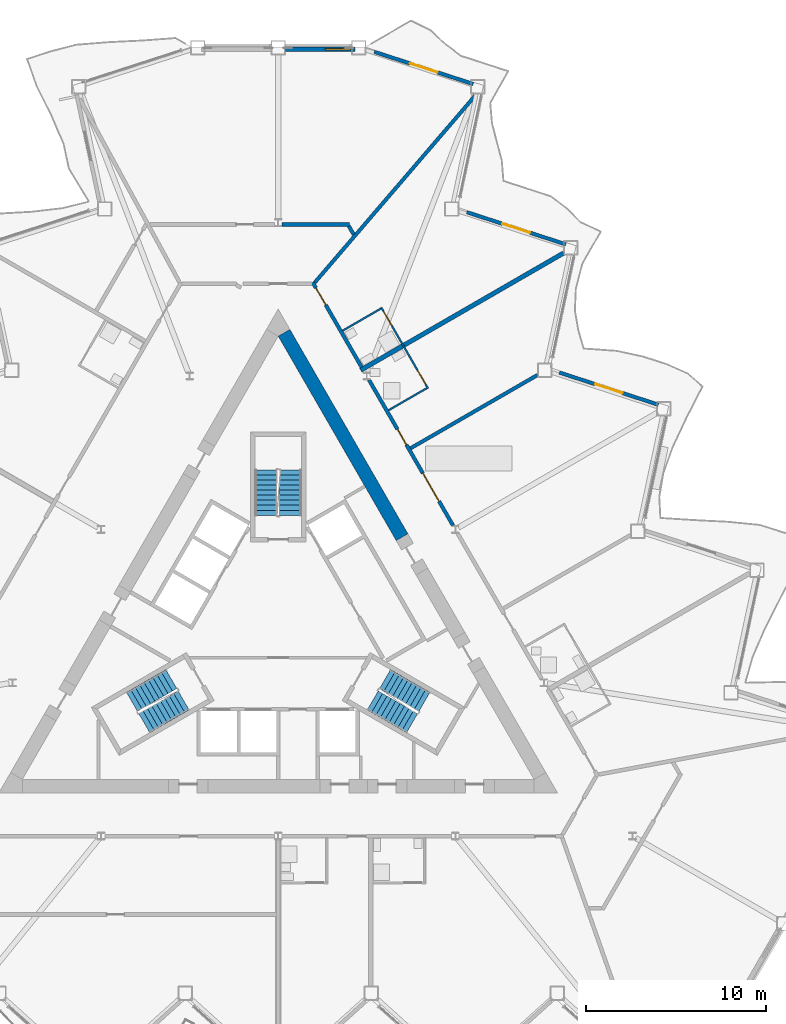
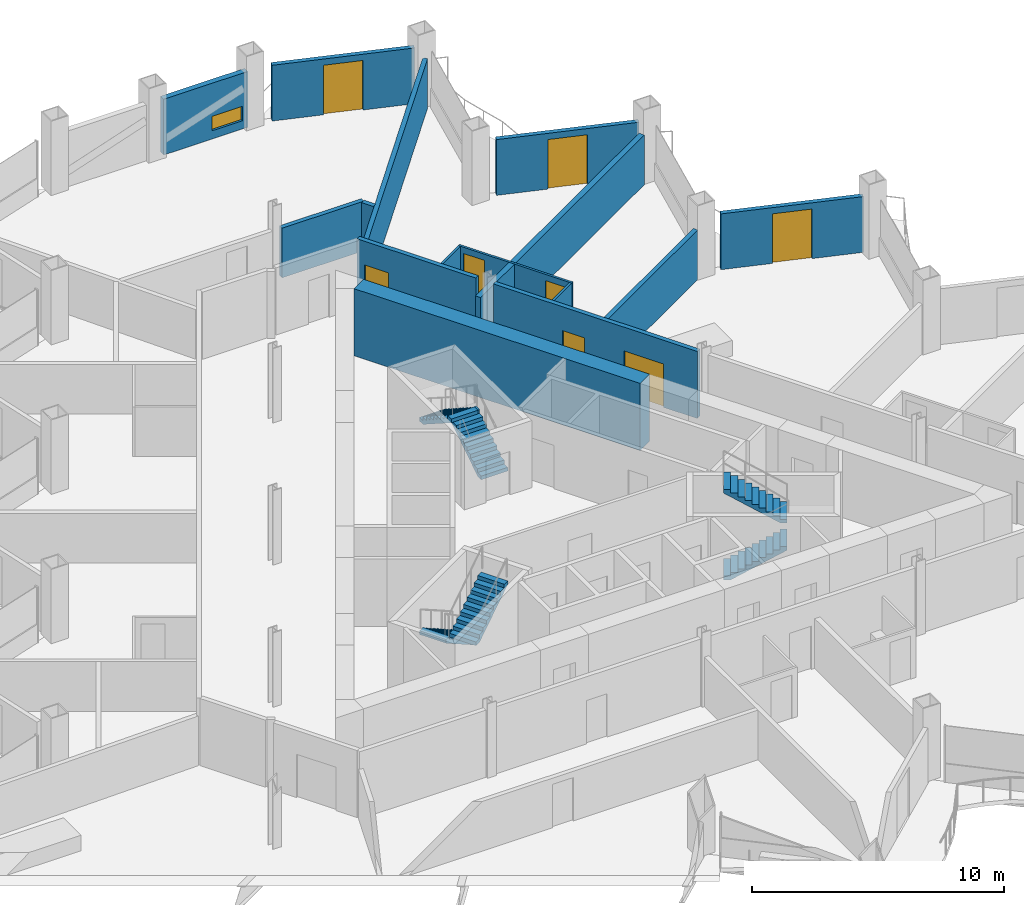
# One storey, part 14 of 22: 15 walls, 8 doors, 6 stair flights, 1 window, 9 openings, 3 elements without a shape of their own.
"""IFC4 building model written with IfcOpenShell, lengths in metres."""

from ifc_helpers import new_model, si_unit, direction, frame, frame_2d, origin, place, context, subcontext, project, spatial, polyline, rectangle, outline, extrude, material, layer, layer_set, type_object, element, fill, aggregate, save


model = new_model("IFC4")

# Units and contexts
model_context = context("Model", 3, precision=1e-05, world=origin(), true_north=direction((0.0, 1.0)))
body_context = subcontext(model_context, "Body", "Model", "MODEL_VIEW")
ifc_project = project(units=[si_unit("LENGTHUNIT", "METRE"), si_unit("AREAUNIT", "SQUARE_METRE"), si_unit("VOLUMEUNIT", "CUBIC_METRE"), si_unit("PLANEANGLEUNIT", "RADIAN"), si_unit("MASSUNIT", "GRAM", prefix="KILO")], contexts=[model_context])

# Site, building, storey
site_placement = place(None, origin())
site = spatial("IfcSite", under=ifc_project, at=site_placement, CompositionType="ELEMENT")
building_placement = place(site_placement, origin())
building = spatial("IfcBuilding", under=site, at=building_placement, Name="Cormorant Prow Tower", CompositionType="ELEMENT")
storey_placement = place(building_placement, frame((0.0, 0.0, 190.800048828125)))
storey = spatial("IfcBuildingStorey", under=building, at=storey_placement, Name="L41", CompositionType="ELEMENT", Elevation=190.800048828125)

# Wall
ifc_material_1 = material(Name="Concrete 8000 psi", Category="concrete")
ifc_layer_1 = layer(ifc_material_1, 0.75)
ifc_layer_set_1 = layer_set([ifc_layer_1], Name="Concrete 8000 psi")
wall_type_1 = type_object("IfcWallType", Name="Core shear wall 750", PredefinedType="SHEAR", material=ifc_layer_set_1)
wall_1_placement = place(storey_placement, frame((6.875244140625, 5.239501953125, 0.0), z_axis=(0.0, 0.0, 1.0), x_axis=(-0.499997217876, 0.866027010039, 0.0)))
element("IfcWall", 1, at=wall_1_placement, inside=storey, type_object=wall_type_1, Name="Core wall", PredefinedType="SHEAR", context=body_context, shape_type="SweptSolid", body=[
    extrude(rectangle(XDim=13.10107421875, YDim=0.75, at=frame_2d((6.550537109375, 0.0))), origin(), (0.0, 0.0, 1.0), 3.25),
])

# Wall, openings, doors
ifc_material_2 = material(Name="Gypsum board corridor wall")
ifc_layer_2 = layer(ifc_material_2, 0.199951171875)
ifc_layer_set_2 = layer_set([ifc_layer_2], Name="Gypsum board corridor wall")
wall_type_2 = type_object("IfcWallType", Name="Corridor wall 200", PredefinedType="PARTITIONING", material=ifc_layer_set_2)
wall_2_placement = place(storey_placement, frame((5.03759765625, 13.972412109375, 0.0), z_axis=(0.0, 0.0, 1.0), x_axis=(0.50000393355, -0.866023132736, 0.0)))
wall_2 = element("IfcWall", 2, at=wall_2_placement, inside=storey, type_object=wall_type_2, Name="Corridor wall", PredefinedType="PARTITIONING", context=body_context, shape_type="SweptSolid", body=[
    extrude(rectangle(XDim=9.3349609375, YDim=0.199951171875, at=frame_2d((4.66748046875, 0.0))), origin(), (0.0, 0.0, 1.0), 3.25),
])
opening_1_placement = place(wall_2_placement, frame((5.978515625, 0.0, 0.0)))
opening_1 = element("IfcOpeningElement", 3, at=opening_1_placement, cuts=wall_2, Name="Opening L41-F13", PredefinedType="OPENING", context=body_context, shape_type="SweptSolid", body=[
    extrude(rectangle(XDim=1.800048828125, YDim=2.10009765625, at=frame_2d((0.89990234375, 1.050048828125))), frame((0.0, 0.10986328125, 0.0), z_axis=(0.0, -1.0, 0.0), x_axis=(1.0, 0.0, 0.0)), (0.0, 0.0, 1.0), 0.219970703125),
])
opening_2_placement = place(wall_2_placement, frame((3.1630859375, 0.0, 0.0)))
opening_2 = element("IfcOpeningElement", 4, at=opening_2_placement, cuts=wall_2, Name="Opening L41-F14", PredefinedType="OPENING", context=body_context, shape_type="SweptSolid", body=[
    extrude(rectangle(XDim=1.0, YDim=2.10009765625, at=frame_2d((0.5, 1.050048828125))), frame((0.0, 0.10986328125, 0.0), z_axis=(0.0, -1.0, 0.0), x_axis=(1.0, 0.0, 0.0)), (0.0, 0.0, 1.0), 0.219970703125),
])
ifc_material_3 = material(Name="Timber door leaf", Category="wood")
door_type_1 = type_object("IfcDoorType", Name="Double door 1800x2100", OperationType="DOUBLE_DOOR_SINGLE_SWING", PredefinedType="DOOR", material=ifc_material_3)
door_1_placement = place(opening_1_placement, origin())
door_1 = element("IfcDoor", 5, at=door_1_placement, inside=storey, type_object=door_type_1, Name="Library door", OperationType="DOUBLE_DOOR_SINGLE_SWING", OverallHeight=2.10009765625, OverallWidth=1.800048828125, PredefinedType="DOOR", context=body_context, shape_type="SweptSolid", body=[
    extrude(rectangle(XDim=1.800048828125, YDim=2.10009765625, at=frame_2d((0.89990234375, 1.050048828125))), frame((0.0, 0.02490234375, 0.0), z_axis=(0.0, -1.0, 0.0), x_axis=(1.0, 0.0, 0.0)), (0.0, 0.0, 1.0), 0.050048828125),
])
fill(opening_1, door_1)
ifc_material_4 = material(Name="Timber door leaf", Category="wood")
door_type_2 = type_object("IfcDoorType", Name="Flat or room entrance door 1000x2100", OperationType="NOTDEFINED", PredefinedType="DOOR", material=ifc_material_4)
door_2_placement = place(opening_2_placement, origin())
door_2 = element("IfcDoor", 6, at=door_2_placement, inside=storey, type_object=door_type_2, Name="Guest room door", OperationType="SINGLE_SWING_RIGHT", OverallHeight=2.10009765625, OverallWidth=1.0, PredefinedType="DOOR", context=body_context, shape_type="SweptSolid", body=[
    extrude(rectangle(XDim=1.0, YDim=2.10009765625, at=frame_2d((0.5, 1.050048828125))), frame((0.0, 0.02490234375, 0.0), z_axis=(0.0, -1.0, 0.0), x_axis=(1.0, 0.0, 0.0)), (0.0, 0.0, 1.0), 0.050048828125),
])
fill(opening_2, door_2)

# Wall, opening, door
wall_3_placement = place(storey_placement, frame((1.9130859375, 19.384521484375, 0.0), z_axis=(0.0, 0.0, 1.0), x_axis=(0.499972435384, -0.866041317638, 0.0)))
wall_3 = element("IfcWall", 7, at=wall_3_placement, inside=storey, type_object=wall_type_2, Name="Corridor wall", PredefinedType="PARTITIONING", context=body_context, shape_type="SweptSolid", body=[
    extrude(rectangle(XDim=5.438720703125, YDim=0.199951171875, at=frame_2d((2.71923828125, 0.0))), origin(), (0.0, 0.0, 1.0), 3.25),
])
opening_3_placement = place(wall_3_placement, frame((0.35107421875, 0.0, 0.0)))
opening_3 = element("IfcOpeningElement", 8, at=opening_3_placement, cuts=wall_3, Name="Opening L41-F16", PredefinedType="OPENING", context=body_context, shape_type="SweptSolid", body=[
    extrude(rectangle(XDim=1.10009765625, YDim=2.10009765625, at=frame_2d((0.550048828125, 1.050048828125))), frame((0.0, 0.10986328125, 0.0), z_axis=(0.0, -1.0, 0.0), x_axis=(1.0, 0.0, 0.0)), (0.0, 0.0, 1.0), 0.219970703125),
])
ifc_material_5 = material(Name="Timber door leaf", Category="wood")
door_type_3 = type_object("IfcDoorType", Name="Suite entrance door 1100x2100", OperationType="NOTDEFINED", PredefinedType="DOOR", material=ifc_material_5)
door_3_placement = place(opening_3_placement, origin())
door_3 = element("IfcDoor", 9, at=door_3_placement, inside=storey, type_object=door_type_3, Name="Junior suite door", OperationType="SINGLE_SWING_LEFT", OverallHeight=2.10009765625, OverallWidth=1.10009765625, PredefinedType="DOOR", context=body_context, shape_type="SweptSolid", body=[
    extrude(rectangle(XDim=1.10009765625, YDim=2.10009765625, at=frame_2d((0.550048828125, 1.050048828125))), frame((0.0, 0.02490234375, 0.0), z_axis=(0.0, -1.0, 0.0), x_axis=(1.0, 0.0, 0.0)), (0.0, 0.0, 1.0), 0.050048828125),
])
fill(opening_3, door_3)

# Walls
ifc_material_6 = material(Name="Gypsum board demising wall")
ifc_layer_3 = layer(ifc_material_6, 0.199951171875)
ifc_layer_set_3 = layer_set([ifc_layer_3], Name="Gypsum board demising wall")
wall_type_3 = type_object("IfcWallType", Name="Demising wall 200", PredefinedType="PARTITIONING", material=ifc_layer_set_3)
wall_4_placement = place(storey_placement, frame((2.0283203125, 19.373779296875, 0.0), z_axis=(0.0, 0.0, 1.0), x_axis=(0.651304244859, 0.758816697647, 0.0)))
element("IfcWall", 10, at=wall_4_placement, inside=storey, type_object=wall_type_3, Name="Demising wall", PredefinedType="PARTITIONING", context=body_context, shape_type="SweptSolid", body=[
    extrude(rectangle(XDim=13.795166015625, YDim=0.199951171875, at=frame_2d((6.8974609375, 0.0))), origin(), (0.0, 0.0, 1.0), 2.404052734375),
])
wall_5_placement = place(storey_placement, frame((7.345703125, 10.174560546875, 0.0), z_axis=(0.0, 0.0, 1.0), x_axis=(0.86602913801, 0.499993532075, 0.0)))
element("IfcWall", 11, at=wall_5_placement, inside=storey, type_object=wall_type_3, Name="Demising wall", PredefinedType="PARTITIONING", context=body_context, shape_type="SweptSolid", body=[
    extrude(rectangle(XDim=8.1337890625, YDim=0.199951171875, at=frame_2d((4.06689453125, 0.0))), origin(), (0.0, 0.0, 1.0), 2.404052734375),
])
wall_6_placement = place(storey_placement, frame((0.213623046875, 22.597900390625, 0.0), z_axis=(0.0, 0.0, 1.0), x_axis=(1.0, 0.0, 0.0)))
element("IfcWall", 12, at=wall_6_placement, inside=storey, type_object=wall_type_3, Name="Demising wall", PredefinedType="PARTITIONING", context=body_context, shape_type="SweptSolid", body=[
    extrude(rectangle(XDim=3.754638671875, YDim=0.199951171875, at=frame_2d((1.87744140625, 0.0))), origin(), (0.0, 0.0, 1.0), 2.404052734375),
])
wall_7_placement = place(storey_placement, frame((3.918212890625, 22.51123046875, 0.0), z_axis=(0.0, 0.0, 1.0), x_axis=(0.500083826171, -0.865977001312, 0.0)))
element("IfcWall", 13, at=wall_7_placement, inside=storey, type_object=wall_type_3, Name="Demising wall", PredefinedType="PARTITIONING", context=body_context, shape_type="SweptSolid", body=[
    extrude(rectangle(XDim=0.5458984375, YDim=0.199951171875, at=frame_2d((0.27294921875, 0.0))), origin(), (0.0, 0.0, 1.0), 2.404052734375),
])

# Wall, openings, doors
ifc_material_7 = material(Name="Gypsum board partition")
ifc_layer_4 = layer(ifc_material_7, 0.10009765625)
ifc_layer_set_4 = layer_set([ifc_layer_4], Name="Gypsum board partition")
wall_type_4 = type_object("IfcWallType", Name="Internal partition 100", PredefinedType="PARTITIONING", material=ifc_layer_set_4)
wall_8_placement = place(storey_placement, frame((5.716552734375, 17.996337890625, 0.0), z_axis=(0.0, 0.0, 1.0), x_axis=(0.500027264788, -0.866009661879, 0.0)))
wall_8 = element("IfcWall", 14, at=wall_8_placement, inside=storey, type_object=wall_type_4, Name="Internal partition", PredefinedType="PARTITIONING", context=body_context, shape_type="SweptSolid", body=[
    extrude(rectangle(XDim=5.199951171875, YDim=0.10009765625, at=frame_2d((2.60009765625, 0.0))), origin(), (0.0, 0.0, 1.0), 2.404052734375),
])
opening_4_placement = place(wall_8_placement, frame((4.0, 0.0, 0.0)))
opening_4 = element("IfcOpeningElement", 15, at=opening_4_placement, cuts=wall_8, Name="Opening L41-F15", PredefinedType="OPENING", context=body_context, shape_type="SweptSolid", body=[
    extrude(rectangle(XDim=0.949951171875, YDim=2.10009765625, at=frame_2d((0.47509765625, 1.050048828125))), frame((0.0, 0.06005859375, 0.0), z_axis=(0.0, -1.0, 0.0), x_axis=(1.0, 0.0, 0.0)), (0.0, 0.0, 1.0), 0.1201171875),
])
opening_5_placement = place(wall_8_placement, frame((0.25, 0.0, 0.0)))
opening_5 = element("IfcOpeningElement", 16, at=opening_5_placement, cuts=wall_8, Name="Opening L41-F17", PredefinedType="OPENING", context=body_context, shape_type="SweptSolid", body=[
    extrude(rectangle(XDim=0.949951171875, YDim=2.10009765625, at=frame_2d((0.47509765625, 1.050048828125))), frame((0.0, 0.06005859375, 0.0), z_axis=(0.0, -1.0, 0.0), x_axis=(1.0, 0.0, 0.0)), (0.0, 0.0, 1.0), 0.1201171875),
])
ifc_material_8 = material(Name="Timber door leaf", Category="wood")
door_type_4 = type_object("IfcDoorType", Name="Bathroom door 950x2100", OperationType="NOTDEFINED", PredefinedType="DOOR", material=ifc_material_8)
door_4_placement = place(opening_4_placement, origin())
door_4 = element("IfcDoor", 17, at=door_4_placement, inside=storey, type_object=door_type_4, Name="Guest room door", OperationType="SINGLE_SWING_RIGHT", OverallHeight=2.10009765625, OverallWidth=0.949951171875, PredefinedType="DOOR", context=body_context, shape_type="SweptSolid", body=[
    extrude(rectangle(XDim=0.949951171875, YDim=2.10009765625, at=frame_2d((0.47509765625, 1.050048828125))), frame((0.0, 0.02490234375, 0.0), z_axis=(0.0, -1.0, 0.0), x_axis=(1.0, 0.0, 0.0)), (0.0, 0.0, 1.0), 0.050048828125),
])
fill(opening_4, door_4)
door_5_placement = place(opening_5_placement, origin())
door_5 = element("IfcDoor", 18, at=door_5_placement, inside=storey, type_object=door_type_4, Name="Junior suite door", OperationType="SINGLE_SWING_LEFT", OverallHeight=2.10009765625, OverallWidth=0.949951171875, PredefinedType="DOOR", context=body_context, shape_type="SweptSolid", body=[
    extrude(rectangle(XDim=0.949951171875, YDim=2.10009765625, at=frame_2d((0.47509765625, 1.050048828125))), frame((0.0, 0.02490234375, 0.0), z_axis=(0.0, -1.0, 0.0), x_axis=(1.0, 0.0, 0.0)), (0.0, 0.0, 1.0), 0.050048828125),
])
fill(opening_5, door_5)

# Walls
wall_9_placement = place(storey_placement, frame((3.576416015625, 16.703125, 0.0), z_axis=(0.0, 0.0, 1.0), x_axis=(0.866057815567, 0.499943856944, 0.0)))
element("IfcWall", 19, at=wall_9_placement, inside=storey, type_object=wall_type_4, Name="Internal partition", PredefinedType="PARTITIONING", context=body_context, shape_type="SweptSolid", body=[
    extrude(rectangle(XDim=2.449951171875, YDim=0.10009765625, at=frame_2d((1.22509765625, 0.0))), origin(), (0.0, 0.0, 1.0), 2.404052734375),
])
wall_10_placement = place(storey_placement, frame((6.12646484375, 12.286376953125, 0.0), z_axis=(0.0, 0.0, 1.0), x_axis=(0.866014668023, 0.500018594424, 0.0)))
element("IfcWall", 20, at=wall_10_placement, inside=storey, type_object=wall_type_4, Name="Internal partition", PredefinedType="PARTITIONING", context=body_context, shape_type="SweptSolid", body=[
    extrude(rectangle(XDim=2.4501953125, YDim=0.10009765625, at=frame_2d((1.22509765625, 0.0))), origin(), (0.0, 0.0, 1.0), 2.404052734375),
])
ifc_material_9 = material(Name="Acoustic gypsum party wall")
ifc_layer_5 = layer(ifc_material_9, 0.25)
ifc_layer_set_5 = layer_set([ifc_layer_5], Name="Acoustic gypsum party wall")
wall_type_5 = type_object("IfcWallType", Name="Suite party wall 250", PredefinedType="PARTITIONING", material=ifc_layer_set_5)
wall_11_placement = place(storey_placement, frame((4.581787109375, 14.51220703125, 0.0), z_axis=(0.0, 0.0, 1.0), x_axis=(0.866027263711, 0.4999967785, 0.0)))
element("IfcWall", 21, at=wall_11_placement, inside=storey, type_object=wall_type_5, Name="Suite party wall", PredefinedType="PARTITIONING", context=body_context, shape_type="SweptSolid", body=[
    extrude(rectangle(XDim=12.99365234375, YDim=0.25, at=frame_2d((6.496826171875, 0.0))), origin(), (0.0, 0.0, 1.0), 2.404052734375),
])

# Wall, opening, window
ifc_material_10 = material(Name="Terracotta", Category="masonry")
ifc_layer_6 = layer(ifc_material_10, 0.25)
ifc_layer_set_6 = layer_set([ifc_layer_6], Name="Terracotta")
wall_type_6 = type_object("IfcWallType", Name="Terracotta bay wall 250", PredefinedType="SOLIDWALL", material=ifc_layer_set_6)
wall_12_placement = place(storey_placement, frame((4.251708984375, 32.324951171875, 0.0), z_axis=(0.0, 0.0, 1.0), x_axis=(-1.0, 0.0, 0.0)))
wall_12 = element("IfcWall", 22, at=wall_12_placement, inside=storey, type_object=wall_type_6, Name="Terracotta bay wall N00", PredefinedType="SOLIDWALL", context=body_context, shape_type="SweptSolid", body=[
    extrude(rectangle(XDim=3.851806640625, YDim=0.25, at=frame_2d((1.92578125, 0.0))), origin(), (0.0, 0.0, 1.0), 2.700927734375),
])
opening_6_placement = place(wall_12_placement, frame((0.25, 0.0, 0.39990234375)))
opening_6 = element("IfcOpeningElement", 23, at=opening_6_placement, cuts=wall_12, Name="Opening WN4", PredefinedType="OPENING", context=body_context, shape_type="SweptSolid", body=[
    extrude(rectangle(XDim=1.39990234375, YDim=0.699951171875, at=frame_2d((0.699951171875, 0.35009765625))), frame((0.0, 0.135009765625, 0.0), z_axis=(0.0, -1.0, 0.0), x_axis=(1.0, 0.0, 0.0)), (0.0, 0.0, 1.0), 0.27001953125),
])
ifc_material_11 = material(Name="Aluminium 6063-T6", Category="aluminium")
window_type = type_object("IfcWindowType", Name="Corner bay window 1400x700", PartitioningType="SINGLE_PANEL", PredefinedType="WINDOW", material=ifc_material_11)
window_placement = place(opening_6_placement, origin())
window = element("IfcWindow", 24, at=window_placement, inside=storey, type_object=window_type, Name="Corner bay window N00", OverallHeight=0.699951171875, OverallWidth=1.39990234375, PartitioningType="SINGLE_PANEL", PredefinedType="WINDOW", context=body_context, shape_type="SweptSolid", body=[
    extrude(rectangle(XDim=1.39990234375, YDim=0.699951171875, at=frame_2d((0.699951171875, 0.35009765625))), frame((0.0, 0.030029296875, 0.0), z_axis=(0.0, -1.0, 0.0), x_axis=(1.0, 0.0, 0.0)), (0.0, 0.0, 1.0), 0.06005859375),
])
fill(opening_6, window)

# Wall, opening, door
ifc_material_12 = material(Name="Terracotta", Category="masonry")
ifc_layer_7 = layer(ifc_material_12, 0.199951171875)
ifc_layer_set_7 = layer_set([ifc_layer_7], Name="Terracotta")
wall_type_7 = type_object("IfcWallType", Name="Terracotta jamb wall 200", PredefinedType="SOLIDWALL", material=ifc_layer_set_7)
wall_13_placement = place(storey_placement, frame((21.101806640625, 12.59326171875, 0.0), z_axis=(0.0, 0.0, 1.0), x_axis=(-0.951059834965, 0.309006780371, 0.0)))
wall_13 = element("IfcWall", 25, at=wall_13_placement, inside=storey, type_object=wall_type_7, Name="Terracotta jamb wall ENE05", PredefinedType="SOLIDWALL", context=body_context, shape_type="SweptSolid", body=[
    extrude(rectangle(XDim=5.778564453125, YDim=0.199951171875, at=frame_2d((2.88916015625, 0.0))), origin(), (0.0, 0.0, 1.0), 2.700927734375),
])
opening_7_placement = place(wall_13_placement, frame((2.08935546875, 0.0, 0.0)))
opening_7 = element("IfcOpeningElement", 26, at=opening_7_placement, cuts=wall_13, Name="Opening ED41.08", PredefinedType="OPENING", context=body_context, shape_type="SweptSolid", body=[
    extrude(rectangle(XDim=1.60009765625, YDim=2.39990234375, at=frame_2d((0.800048828125, 1.199951171875))), frame((0.0, 0.10986328125, 0.0), z_axis=(0.0, -1.0, 0.0), x_axis=(1.0, 0.0, 0.0)), (0.0, 0.0, 1.0), 0.219970703125),
])
ifc_material_13 = material(Name="Aluminium 6063-T6", Category="aluminium")
door_type_5 = type_object("IfcDoorType", Name="Balcony door 1600x2400", OperationType="DOUBLE_DOOR_SINGLE_SWING", PredefinedType="DOOR", material=ifc_material_13)
door_6_placement = place(opening_7_placement, origin())
door_6 = element("IfcDoor", 27, at=door_6_placement, inside=storey, type_object=door_type_5, Name="Balcony door ENE05 ED41.08", OperationType="DOUBLE_DOOR_SINGLE_SWING", OverallHeight=2.39990234375, OverallWidth=1.60009765625, PredefinedType="DOOR", context=body_context, shape_type="SweptSolid", body=[
    extrude(rectangle(XDim=1.60009765625, YDim=2.39990234375, at=frame_2d((0.800048828125, 1.199951171875))), frame((0.0, 0.02490234375, 0.0), z_axis=(0.0, -1.0, 0.0), x_axis=(1.0, 0.0, 0.0)), (0.0, 0.0, 1.0), 0.050048828125),
])
fill(opening_7, door_6)

wall_14_placement = place(storey_placement, frame((15.96337890625, 21.493408203125, 0.0), z_axis=(0.0, 0.0, 1.0), x_axis=(-0.951059834965, 0.309006780371, 0.0)))
wall_14 = element("IfcWall", 28, at=wall_14_placement, inside=storey, type_object=wall_type_7, Name="Terracotta jamb wall ENE07", PredefinedType="SOLIDWALL", context=body_context, shape_type="SweptSolid", body=[
    extrude(rectangle(XDim=5.778564453125, YDim=0.199951171875, at=frame_2d((2.88916015625, 0.0))), origin(), (0.0, 0.0, 1.0), 2.700927734375),
])
opening_8_placement = place(wall_14_placement, frame((2.08935546875, 0.0, 0.0)))
opening_8 = element("IfcOpeningElement", 29, at=opening_8_placement, cuts=wall_14, Name="Opening ED41.09", PredefinedType="OPENING", context=body_context, shape_type="SweptSolid", body=[
    extrude(rectangle(XDim=1.60009765625, YDim=2.39990234375, at=frame_2d((0.800048828125, 1.199951171875))), frame((0.0, 0.10986328125, 0.0), z_axis=(0.0, -1.0, 0.0), x_axis=(1.0, 0.0, 0.0)), (0.0, 0.0, 1.0), 0.219970703125),
])
door_7_placement = place(opening_8_placement, origin())
door_7 = element("IfcDoor", 30, at=door_7_placement, inside=storey, type_object=door_type_5, Name="Balcony door ENE07 ED41.09", OperationType="DOUBLE_DOOR_SINGLE_SWING", OverallHeight=2.39990234375, OverallWidth=1.60009765625, PredefinedType="DOOR", context=body_context, shape_type="SweptSolid", body=[
    extrude(rectangle(XDim=1.60009765625, YDim=2.39990234375, at=frame_2d((0.800048828125, 1.199951171875))), frame((0.0, 0.02490234375, 0.0), z_axis=(0.0, -1.0, 0.0), x_axis=(1.0, 0.0, 0.0)), (0.0, 0.0, 1.0), 0.050048828125),
])
fill(opening_8, door_7)

wall_15_placement = place(storey_placement, frame((10.82470703125, 30.3935546875, 0.0), z_axis=(0.0, 0.0, 1.0), x_axis=(-0.9510558006, 0.30901919705, 0.0)))
wall_15 = element("IfcWall", 31, at=wall_15_placement, inside=storey, type_object=wall_type_7, Name="Terracotta jamb wall ENE09", PredefinedType="SOLIDWALL", context=body_context, shape_type="SweptSolid", body=[
    extrude(rectangle(XDim=5.7783203125, YDim=0.199951171875, at=frame_2d((2.88916015625, 0.0))), origin(), (0.0, 0.0, 1.0), 2.700927734375),
])
opening_9_placement = place(wall_15_placement, frame((2.08935546875, 0.0, 0.0)))
opening_9 = element("IfcOpeningElement", 32, at=opening_9_placement, cuts=wall_15, Name="Opening ED41.10", PredefinedType="OPENING", context=body_context, shape_type="SweptSolid", body=[
    extrude(rectangle(XDim=1.60009765625, YDim=2.39990234375, at=frame_2d((0.800048828125, 1.199951171875))), frame((0.0, 0.10986328125, 0.0), z_axis=(0.0, -1.0, 0.0), x_axis=(1.0, 0.0, 0.0)), (0.0, 0.0, 1.0), 0.219970703125),
])
door_8_placement = place(opening_9_placement, origin())
door_8 = element("IfcDoor", 33, at=door_8_placement, inside=storey, type_object=door_type_5, Name="Balcony door ENE09 ED41.10", OperationType="DOUBLE_DOOR_SINGLE_SWING", OverallHeight=2.39990234375, OverallWidth=1.60009765625, PredefinedType="DOOR", context=body_context, shape_type="SweptSolid", body=[
    extrude(rectangle(XDim=1.60009765625, YDim=2.39990234375, at=frame_2d((0.800048828125, 1.199951171875))), frame((0.0, 0.02490234375, 0.0), z_axis=(0.0, -1.0, 0.0), x_axis=(1.0, 0.0, 0.0)), (0.0, 0.0, 1.0), 0.050048828125),
])
fill(opening_9, door_8)

# Stair, stair flights
ifc_material_14 = material(Name="Exit stair 20 risers")
stair_type = type_object("IfcStairType", Name="Exit stair 20 risers", PredefinedType="HALF_TURN_STAIR", material=ifc_material_14)
stair_1_placement = place(storey_placement, origin())
stair_1 = element("IfcStair", 34, at=stair_1_placement, inside=storey, type_object=stair_type, Name="L41 Exit stair ST1", PredefinedType="HALF_TURN_STAIR")
ifc_material_15 = material(Name="Concrete 5000 psi", Category="concrete")
stair_flight_type = type_object("IfcStairFlightType", Name="Stair flight 1219", PredefinedType="STRAIGHT", material=ifc_material_15)
stair_flight_1_placement = place(storey_placement, frame((-5.93310546875, -2.635009765625, 0.0), z_axis=(0.0, 0.0, 1.0), x_axis=(-0.866025403784, -0.5, 0.0)))
stair_flight_1 = element("IfcStairFlight", 35, at=stair_flight_1_placement, type_object=stair_flight_type, Name="ST1 flight 1", NumberOfRisers=10, NumberOfTreads=9, PredefinedType="STRAIGHT", RiserHeight=0.18, TreadLength=0.28, context=body_context, shape_type="SweptSolid", body=[
    extrude(outline(polyline([(0.0, 0.0), (0.0, 0.179931640625), (0.280029296875, 0.179931640625), (0.280029296875, 0.360107421875), (0.56005859375, 0.360107421875), (0.56005859375, 0.5400390625), (0.840087890625, 0.5400390625), (0.840087890625, 0.719970703125), (1.1201171875, 0.719970703125), (1.1201171875, 0.89990234375), (1.39990234375, 0.89990234375), (1.39990234375, 1.080078125), (1.679931640625, 1.080078125), (1.679931640625, 1.260009765625), (1.9599609375, 1.260009765625), (1.9599609375, 1.43994140625), (2.239990234375, 1.43994140625), (2.239990234375, 1.6201171875), (2.52001953125, 1.6201171875), (2.52001953125, 1.800048828125), (2.52001953125, 1.44189453125), (0.277099609375, 0.0), (0.0, 0.0)])), frame((0.0, 0.609375, 0.0), z_axis=(0.0, -1.0, 0.0), x_axis=(1.0, 0.0, 0.0)), (0.0, 0.0, 1.0), 1.218994140625),
])
stair_flight_2_placement = place(storey_placement, frame((-7.43115234375, -5.080810546875, 1.800048828125), z_axis=(0.0, 0.0, 1.0), x_axis=(0.866025403784, 0.5, 0.0)))
stair_flight_2 = element("IfcStairFlight", 36, at=stair_flight_2_placement, type_object=stair_flight_type, Name="ST1 flight 2", NumberOfRisers=10, NumberOfTreads=9, PredefinedType="STRAIGHT", RiserHeight=0.18, TreadLength=0.28, context=body_context, shape_type="SweptSolid", body=[
    extrude(outline(polyline([(0.0, 0.0), (0.0, 0.179931640625), (0.280029296875, 0.179931640625), (0.280029296875, 0.360107421875), (0.56005859375, 0.360107421875), (0.56005859375, 0.5400390625), (0.840087890625, 0.5400390625), (0.840087890625, 0.719970703125), (1.1201171875, 0.719970703125), (1.1201171875, 0.89990234375), (1.39990234375, 0.89990234375), (1.39990234375, 1.080078125), (1.679931640625, 1.080078125), (1.679931640625, 1.260009765625), (1.9599609375, 1.260009765625), (1.9599609375, 1.43994140625), (2.239990234375, 1.43994140625), (2.239990234375, 1.6201171875), (2.52001953125, 1.6201171875), (2.52001953125, 1.800048828125), (2.52001953125, 1.44189453125), (0.277099609375, 0.0), (0.0, 0.0)])), frame((0.0, 0.609375, 0.0), z_axis=(0.0, -1.0, 0.0), x_axis=(1.0, 0.0, 0.0)), (0.0, 0.0, 1.0), 1.218994140625),
])
aggregate(stair_1, [stair_flight_1, stair_flight_2])

stair_2_placement = place(storey_placement, origin())
stair_2 = element("IfcStair", 37, at=stair_2_placement, inside=storey, type_object=stair_type, Name="L41 Exit stair ST2", PredefinedType="HALF_TURN_STAIR")
stair_flight_3_placement = place(storey_placement, frame((5.24853515625, -3.82080078125, 0.0), z_axis=(0.0, 0.0, 1.0), x_axis=(0.866025403784, -0.5, 0.0)))
stair_flight_3 = element("IfcStairFlight", 38, at=stair_flight_3_placement, type_object=stair_flight_type, Name="ST2 flight 1", NumberOfRisers=10, NumberOfTreads=9, PredefinedType="STRAIGHT", RiserHeight=0.18, TreadLength=0.28, context=body_context, shape_type="SweptSolid", body=[
    extrude(outline(polyline([(0.0, 0.0), (0.0, 0.179931640625), (0.280029296875, 0.179931640625), (0.280029296875, 0.360107421875), (0.56005859375, 0.360107421875), (0.56005859375, 0.5400390625), (0.840087890625, 0.5400390625), (0.840087890625, 0.719970703125), (1.1201171875, 0.719970703125), (1.1201171875, 0.89990234375), (1.39990234375, 0.89990234375), (1.39990234375, 1.080078125), (1.679931640625, 1.080078125), (1.679931640625, 1.260009765625), (1.9599609375, 1.260009765625), (1.9599609375, 1.43994140625), (2.239990234375, 1.43994140625), (2.239990234375, 1.6201171875), (2.52001953125, 1.6201171875), (2.52001953125, 1.800048828125), (2.52001953125, 1.44189453125), (0.277099609375, 0.0), (0.0, 0.0)])), frame((0.0, 0.609375, 0.0), z_axis=(0.0, -1.0, 0.0), x_axis=(1.0, 0.0, 0.0)), (0.0, 0.0, 1.0), 1.218994140625),
])
stair_flight_4_placement = place(storey_placement, frame((8.115478515625, -3.89501953125, 1.800048828125), z_axis=(0.0, 0.0, 1.0), x_axis=(-0.866025403784, 0.5, 0.0)))
stair_flight_4 = element("IfcStairFlight", 39, at=stair_flight_4_placement, type_object=stair_flight_type, Name="ST2 flight 2", NumberOfRisers=10, NumberOfTreads=9, PredefinedType="STRAIGHT", RiserHeight=0.18, TreadLength=0.28, context=body_context, shape_type="SweptSolid", body=[
    extrude(outline(polyline([(0.0, 0.0), (0.0, 0.179931640625), (0.280029296875, 0.179931640625), (0.280029296875, 0.360107421875), (0.56005859375, 0.360107421875), (0.56005859375, 0.5400390625), (0.840087890625, 0.5400390625), (0.840087890625, 0.719970703125), (1.1201171875, 0.719970703125), (1.1201171875, 0.89990234375), (1.39990234375, 0.89990234375), (1.39990234375, 1.080078125), (1.679931640625, 1.080078125), (1.679931640625, 1.260009765625), (1.9599609375, 1.260009765625), (1.9599609375, 1.43994140625), (2.239990234375, 1.43994140625), (2.239990234375, 1.6201171875), (2.52001953125, 1.6201171875), (2.52001953125, 1.800048828125), (2.52001953125, 1.44189453125), (0.277099609375, 0.0), (0.0, 0.0)])), frame((0.0, 0.609375, 0.0), z_axis=(0.0, -1.0, 0.0), x_axis=(1.0, 0.0, 0.0)), (0.0, 0.0, 1.0), 1.218994140625),
])
aggregate(stair_2, [stair_flight_3, stair_flight_4])

stair_3_placement = place(storey_placement, origin())
stair_3 = element("IfcStair", 40, at=stair_3_placement, inside=storey, type_object=stair_type, Name="L41 Exit stair ST3", PredefinedType="HALF_TURN_STAIR")
stair_flight_5_placement = place(storey_placement, frame((0.6845703125, 6.455810546875, 0.0), z_axis=(0.0, 0.0, 1.0), x_axis=(0.0, 1.0, 0.0)))
stair_flight_5 = element("IfcStairFlight", 41, at=stair_flight_5_placement, type_object=stair_flight_type, Name="ST3 flight 1", NumberOfRisers=10, NumberOfTreads=9, PredefinedType="STRAIGHT", RiserHeight=0.18, TreadLength=0.28, context=body_context, shape_type="SweptSolid", body=[
    extrude(outline(polyline([(0.0, 0.0), (0.0, 0.179931640625), (0.280029296875, 0.179931640625), (0.280029296875, 0.360107421875), (0.56005859375, 0.360107421875), (0.56005859375, 0.5400390625), (0.840087890625, 0.5400390625), (0.840087890625, 0.719970703125), (1.1201171875, 0.719970703125), (1.1201171875, 0.89990234375), (1.39990234375, 0.89990234375), (1.39990234375, 1.080078125), (1.679931640625, 1.080078125), (1.679931640625, 1.260009765625), (1.9599609375, 1.260009765625), (1.9599609375, 1.43994140625), (2.239990234375, 1.43994140625), (2.239990234375, 1.6201171875), (2.52001953125, 1.6201171875), (2.52001953125, 1.800048828125), (2.52001953125, 1.44189453125), (0.277099609375, 0.0), (0.0, 0.0)])), frame((0.0, 0.609375, 0.0), z_axis=(0.0, -1.0, 0.0), x_axis=(1.0, 0.0, 0.0)), (0.0, 0.0, 1.0), 1.218994140625),
])
stair_flight_6_placement = place(storey_placement, frame((-0.6845703125, 8.975830078125, 1.800048828125), z_axis=(0.0, 0.0, 1.0), x_axis=(0.0, -1.0, 0.0)))
stair_flight_6 = element("IfcStairFlight", 42, at=stair_flight_6_placement, type_object=stair_flight_type, Name="ST3 flight 2", NumberOfRisers=10, NumberOfTreads=9, PredefinedType="STRAIGHT", RiserHeight=0.18, TreadLength=0.28, context=body_context, shape_type="SweptSolid", body=[
    extrude(outline(polyline([(0.0, 0.0), (0.0, 0.179931640625), (0.280029296875, 0.179931640625), (0.280029296875, 0.360107421875), (0.56005859375, 0.360107421875), (0.56005859375, 0.5400390625), (0.840087890625, 0.5400390625), (0.840087890625, 0.719970703125), (1.1201171875, 0.719970703125), (1.1201171875, 0.89990234375), (1.39990234375, 0.89990234375), (1.39990234375, 1.080078125), (1.679931640625, 1.080078125), (1.679931640625, 1.260009765625), (1.9599609375, 1.260009765625), (1.9599609375, 1.43994140625), (2.239990234375, 1.43994140625), (2.239990234375, 1.6201171875), (2.52001953125, 1.6201171875), (2.52001953125, 1.800048828125), (2.52001953125, 1.44189453125), (0.277099609375, 0.0), (0.0, 0.0)])), frame((0.0, 0.609375, 0.0), z_axis=(0.0, -1.0, 0.0), x_axis=(1.0, 0.0, 0.0)), (0.0, 0.0, 1.0), 1.218994140625),
])
aggregate(stair_3, [stair_flight_5, stair_flight_6])

save(model, "model.ifc")
